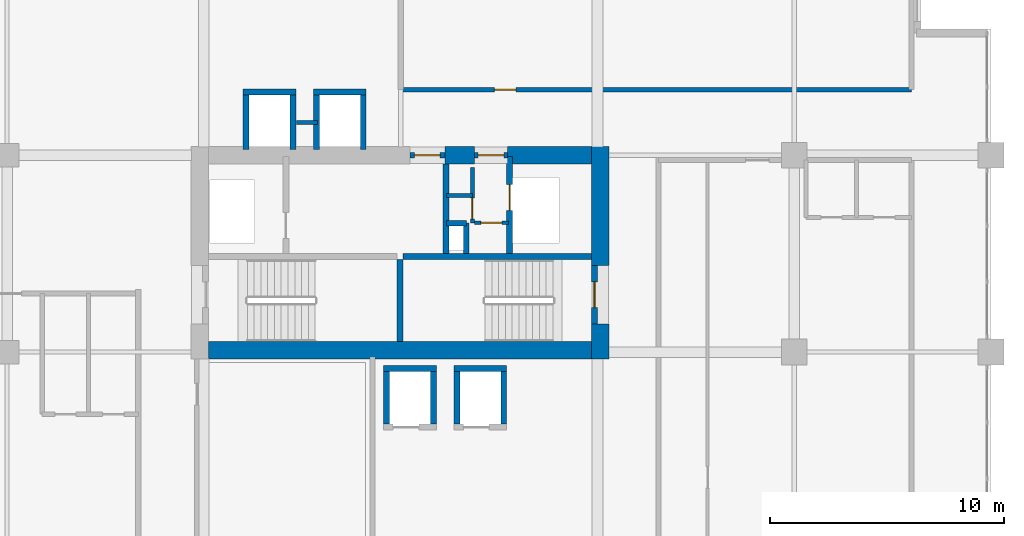
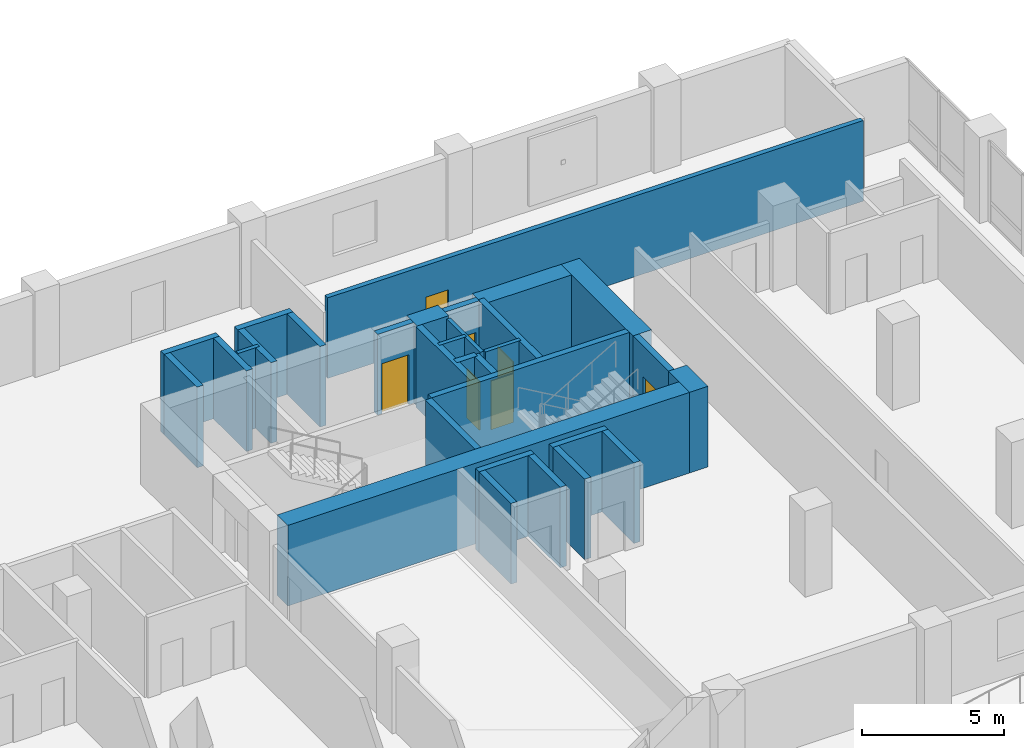
# One storey, part 12 of 22: 31 walls, 7 doors, 7 openings.
"""IFC4 building model written with IfcOpenShell, lengths in metres."""

import ifcopenshell
import ifcopenshell.guid

model = None  # the IFC model being written
_history = None  # IfcOwnerHistory: only IFC2X3 demands one
_inside = {}  # id of a spatial element -> (the spatial element, [elements in it])
_under = {}  # id of a project, library or spatial element -> (it, [spatial elements below it])
_declared = {}  # id of a project -> (the project, [libraries it declares])
_typed = {}  # id of a type object -> (the type object, [elements of that type])
_made_of = {}  # id of a material, layer set ... -> (it, [elements and type objects made of it])


def new_model(schema):
    """Start an empty IFC model of exactly this schema.

    Asked for "IFC4X3", IfcOpenShell would pick the latest addendum, in which some entities
    have other attributes; the version numbers below select the first issue.
    IFC2X3 requires an IfcOwnerHistory on every rooted entity: one is made here for all.
    """
    global model, _history
    if schema == "IFC4X3":
        model = ifcopenshell.file(schema_version=(4, 3, 0, 0))
    else:
        model = ifcopenshell.file(schema=schema)
    _inside.clear()
    _under.clear()
    _declared.clear()
    _typed.clear()
    _made_of.clear()
    _history = None
    if model.schema == "IFC2X3":
        org = make("IfcOrganization", Name="unknown")
        user = make(
            "IfcPersonAndOrganization",
            ThePerson=make("IfcPerson", FamilyName="unknown"),
            TheOrganization=org,
        )
        app = make(
            "IfcApplication",
            ApplicationDeveloper=org,
            Version="unknown",
            ApplicationFullName="unknown",
            ApplicationIdentifier="unknown",
        )
        _history = make(
            "IfcOwnerHistory",
            OwningUser=user,
            OwningApplication=app,
            ChangeAction="ADDED",
            CreationDate=0,
        )
    return model


def make(cls, **values):
    """One entity of the class cls with the attributes given. An attribute that is None is left unset."""
    return model.create_entity(
        cls, **{name: value for name, value in values.items() if value is not None}
    )


def rooted(cls, **values):
    """An entity with a GlobalId (a new one), such as an element, a storey or a relation."""
    return make(cls, GlobalId=ifcopenshell.guid.new(), OwnerHistory=_history, **values)


def si_unit(unit_type, name, prefix=None):
    """IfcSIUnit, for example si_unit("LENGTHUNIT", "METRE", prefix="MILLI")."""
    return make("IfcSIUnit", UnitType=unit_type, Prefix=prefix, Name=name)


def assignment(units):
    """IfcUnitAssignment: the units of a project."""
    return None if units is None else make("IfcUnitAssignment", Units=units)


def point(xyz):
    """IfcCartesianPoint."""
    return None if xyz is None else make("IfcCartesianPoint", Coordinates=xyz)


def direction(xyz):
    """IfcDirection."""
    return None if xyz is None else make("IfcDirection", DirectionRatios=xyz)


def frame(location, z_axis=None, x_axis=None):
    """IfcAxis2Placement3D, a coordinate frame: its origin and axes. An axis left out is left unset."""
    return make(
        "IfcAxis2Placement3D",
        Location=point(location),
        Axis=direction(z_axis),
        RefDirection=direction(x_axis),
    )


def frame_2d(location, x_axis=None):
    """IfcAxis2Placement2D, a coordinate frame in the plane: its origin and x axis."""
    return make(
        "IfcAxis2Placement2D", Location=point(location), RefDirection=direction(x_axis)
    )


def origin():
    """The frame at (0, 0, 0) with its axes left unset."""
    return frame((0.0, 0.0, 0.0))


def place(relative_to, where):
    """IfcLocalPlacement: puts the frame where relative to a parent placement (None: the world)."""
    return make(
        "IfcLocalPlacement", PlacementRelTo=relative_to, RelativePlacement=where
    )


def context(
    kind, dimensions, precision=None, world=None, true_north=None, identifier=None
):
    """IfcGeometricRepresentationContext, for example the 3D "Model" context."""
    return make(
        "IfcGeometricRepresentationContext",
        ContextIdentifier=identifier,
        ContextType=kind,
        CoordinateSpaceDimension=dimensions,
        Precision=precision,
        WorldCoordinateSystem=world,
        TrueNorth=true_north,
    )


def subcontext(parent, identifier, kind, view, scale=None):
    """IfcGeometricRepresentationSubContext, for example "Body" below "Model"."""
    return make(
        "IfcGeometricRepresentationSubContext",
        ContextIdentifier=identifier,
        ContextType=kind,
        ParentContext=parent,
        TargetScale=scale,
        TargetView=view,
    )


def project(units=None, contexts=None):
    """IfcProject with its units and contexts."""
    return rooted(
        "IfcProject",
        Name="project",
        RepresentationContexts=contexts,
        UnitsInContext=assignment(units),
    )


def spatial(cls, under=None, at=None, **own):
    """A site, building, storey or space (cls), placed at a placement, below another one or the project."""
    s = rooted(cls, ObjectPlacement=at, **own)
    if under is not None:
        _under.setdefault(under.id(), (under, []))[1].append(s)
    return s


def profile(cls, at=None, kind="AREA", **sizes):
    """A parametric profile (cls). Its sizes go by their IFC names, for example OverallWidth=200.0."""
    return make(cls, ProfileType=kind, Position=at, **sizes)


def rectangle(**sizes):
    """IfcRectangleProfileDef."""
    return profile("IfcRectangleProfileDef", **sizes)


def extrude(swept, where, along, depth):
    """IfcExtrudedAreaSolid: the profile swept, set in the frame where, extruded along a direction by depth."""
    return make(
        "IfcExtrudedAreaSolid",
        SweptArea=swept,
        Position=where,
        ExtrudedDirection=direction(along),
        Depth=depth,
    )


def shape(context_of_items, identifier, shape_type, items):
    """IfcShapeRepresentation: the items that make up one representation, for example the "Body"."""
    return make(
        "IfcShapeRepresentation",
        ContextOfItems=context_of_items,
        RepresentationIdentifier=identifier,
        RepresentationType=shape_type,
        Items=items,
    )


def material(Name=None, Category=None):
    """IfcMaterial."""
    return make("IfcMaterial", Name=Name, Category=Category)


def layer(
    of_material, thickness, ventilated=None, Name=None, Category=None, Priority=None
):
    """IfcMaterialLayer: one layer of a wall or slab, of a material (None: an air gap)."""
    return make(
        "IfcMaterialLayer",
        Material=of_material,
        LayerThickness=thickness,
        IsVentilated=ventilated,
        Name=Name,
        Category=Category,
        Priority=Priority,
    )


def layer_set(layers, Name=None):
    """IfcMaterialLayerSet."""
    return make("IfcMaterialLayerSet", MaterialLayers=layers, LayerSetName=Name)


def made_of(thing, what):
    """Note that an element or type object is made of a material, layer set ...; save() writes the relation."""
    if what is not None:
        _made_of.setdefault(what.id(), (what, []))[1].append(thing)
    return thing


def type_object(cls, material=None, **own):
    """A type object (cls), such as IfcWallType, which elements share."""
    return made_of(rooted(cls, **own), material)


def element(
    cls,
    number,
    at=None,
    inside=None,
    cuts=None,
    type_object=None,
    material=None,
    context=None,
    identifier="Body",
    shape_type=None,
    held_by="IfcProductDefinitionShape",
    body=None,
    shapes=None,
    **own,
):
    """One element of the class cls, such as IfcWall. Its Tag is "e" and its number.

    at: its placement. inside: the storey or other place that contains it. cuts: it is an
    opening in that element (IfcRelVoidsElement). A single representation is given by context,
    identifier, shape_type and body (its items); several are given by shapes. held_by: the class
    of the entity that holds the representations. save() writes the other relations.
    """
    e = rooted(cls, Tag="e%d" % number, ObjectPlacement=at, **own)
    if body is not None:
        shapes = [shape(context, identifier, shape_type, body)]
    if shapes is not None:
        e.Representation = make(held_by, Representations=shapes)
    if inside is not None:
        _inside.setdefault(inside.id(), (inside, []))[1].append(e)
    if cuts is not None:
        rooted(
            "IfcRelVoidsElement", RelatingBuildingElement=cuts, RelatedOpeningElement=e
        )
    if type_object is not None:
        _typed.setdefault(type_object.id(), (type_object, []))[1].append(e)
    return made_of(e, material)


def fill(opening, filler):
    """IfcRelFillsElement: the door or window that sits in an opening."""
    return rooted(
        "IfcRelFillsElement",
        RelatingOpeningElement=opening,
        RelatedBuildingElement=filler,
    )


def aggregate(whole, parts):
    """IfcRelAggregates: a whole, such as a stair, and the parts it consists of."""
    return rooted("IfcRelAggregates", RelatingObject=whole, RelatedObjects=parts)


def save(model, path):
    """Write the relations noted so far, then the file.

    IfcRelAggregates (storeys below a building ...), IfcRelContainedInSpatialStructure (elements
    in a storey), IfcRelDefinesByType, IfcRelAssociatesMaterial and IfcRelDeclares: one each for
    every whole, place, type object, material and project.
    """
    for whole, parts in _under.values():
        aggregate(whole, parts)
    for where, things in _inside.values():
        rooted(
            "IfcRelContainedInSpatialStructure",
            RelatedElements=things,
            RelatingStructure=where,
        )
    for kind, things in _typed.values():
        rooted("IfcRelDefinesByType", RelatedObjects=things, RelatingType=kind)
    for what, things in _made_of.values():
        rooted("IfcRelAssociatesMaterial", RelatedObjects=things, RelatingMaterial=what)
    for by, libraries in _declared.values():
        rooted("IfcRelDeclares", RelatingContext=by, RelatedDefinitions=libraries)
    model.write(path)


model = new_model("IFC4")

# Units and contexts
model_context = context("Model", 3, precision=1e-05, world=origin(), true_north=direction((0.0, 1.0)))
body_context = subcontext(model_context, "Body", "Model", "MODEL_VIEW")
ifc_project = project(units=[si_unit("LENGTHUNIT", "METRE"), si_unit("AREAUNIT", "SQUARE_METRE"), si_unit("VOLUMEUNIT", "CUBIC_METRE"), si_unit("PLANEANGLEUNIT", "RADIAN"), si_unit("MASSUNIT", "GRAM", prefix="KILO")], contexts=[model_context])

# Site, building, storey
site_placement = place(None, origin())
site = spatial("IfcSite", under=ifc_project, at=site_placement, CompositionType="ELEMENT")
building_placement = place(site_placement, origin())
building = spatial("IfcBuilding", under=site, at=building_placement, Name="Koriwani Terraces Tower", CompositionType="ELEMENT")
storey_placement = place(building_placement, frame((0.0, 0.0, 182.800048828125)))
storey = spatial("IfcBuildingStorey", under=building, at=storey_placement, Name="L44", CompositionType="ELEMENT", Elevation=182.800048828125)

# Walls
ifc_material_1 = material(Name="Concrete C60/75", Category="concrete")
ifc_layer_1 = layer(ifc_material_1, 0.75, Name="Concrete C60/75")
ifc_layer_set_1 = layer_set([ifc_layer_1], Name="Concrete C60/75")
wall_type_1 = type_object("IfcWallType", Name="WALL_CORE_RC_750", PredefinedType="SHEAR", material=ifc_layer_set_1)
wall_1_placement = place(storey_placement, frame((58.925048828125, 16.5, 0.0), z_axis=(0.0, 0.0, 1.0), x_axis=(0.0, 1.0, 0.0)))
element("IfcWall", 1, at=wall_1_placement, inside=storey, type_object=wall_type_1, Name="L44 East Split Core Shear Wall E1", PredefinedType="SHEAR", context=body_context, shape_type="SweptSolid", body=[
    extrude(rectangle(XDim=1.5, YDim=0.75, at=frame_2d((0.75, 0.0))), origin(), (0.0, 0.0, 1.0), 3.469970703125),
])
wall_2_placement = place(storey_placement, frame((58.925048828125, 20.5, 0.0), z_axis=(0.0, 0.0, 1.0), x_axis=(0.0, 1.0, 0.0)))
element("IfcWall", 2, at=wall_2_placement, inside=storey, type_object=wall_type_1, Name="L44 East Split Core Shear Wall E2", PredefinedType="SHEAR", context=body_context, shape_type="SweptSolid", body=[
    extrude(rectangle(XDim=5.074951171875, YDim=0.75, at=frame_2d((2.53759765625, 0.0))), origin(), (0.0, 0.0, 1.0), 3.469970703125),
])
wall_3_placement = place(storey_placement, frame((42.199951171875, 16.875, 0.0), z_axis=(0.0, 0.0, 1.0), x_axis=(1.0, 0.0, 0.0)))
element("IfcWall", 3, at=wall_3_placement, inside=storey, type_object=wall_type_1, Name="L44 East Split Core Shear Wall S1", PredefinedType="SHEAR", context=body_context, shape_type="SweptSolid", body=[
    extrude(rectangle(XDim=16.35009765625, YDim=0.75, at=frame_2d((8.175048828125, 0.0))), origin(), (0.0, 0.0, 1.0), 3.469970703125),
])
wall_4_placement = place(storey_placement, frame((52.280029296875, 25.199951171875, 0.0), z_axis=(0.0, 0.0, 1.0), x_axis=(1.0, 0.0, 0.0)))
element("IfcWall", 4, at=wall_4_placement, inside=storey, type_object=wall_type_1, Name="L44 East Split Core Shear Wall N2", PredefinedType="SHEAR", context=body_context, shape_type="SweptSolid", body=[
    extrude(rectangle(XDim=1.27001953125, YDim=0.75, at=frame_2d((0.635009765625, 0.0))), origin(), (0.0, 0.0, 1.0), 3.469970703125),
])
wall_5_placement = place(storey_placement, frame((54.949951171875, 25.199951171875, 0.0), z_axis=(0.0, 0.0, 1.0), x_axis=(1.0, 0.0, 0.0)))
element("IfcWall", 5, at=wall_5_placement, inside=storey, type_object=wall_type_1, Name="L44 East Split Core Shear Wall N3", PredefinedType="SHEAR", context=body_context, shape_type="SweptSolid", body=[
    extrude(rectangle(XDim=3.60009765625, YDim=0.75, at=frame_2d((1.800048828125, 0.0))), origin(), (0.0, 0.0, 1.0), 3.469970703125),
])

# Wall, opening, door
ifc_material_2 = material(Name="Autoclaved Cellular Concrete Blockwork", Category="masonry")
ifc_layer_2 = layer(ifc_material_2, 0.199951171875, Name="Autoclaved Cellular Concrete Blockwork")
ifc_layer_set_2 = layer_set([ifc_layer_2], Name="Autoclaved Cellular Concrete Blockwork")
wall_type_2 = type_object("IfcWallType", Name="WALL_CORRIDOR_200", PredefinedType="PARTITIONING", material=ifc_layer_set_2)
wall_6_placement = place(storey_placement, frame((50.39990234375, 28.0, 0.0), z_axis=(0.0, 0.0, 1.0), x_axis=(1.0, 0.0, 0.0)))
wall_6 = element("IfcWall", 6, at=wall_6_placement, inside=storey, type_object=wall_type_2, Name="L44 Interior Wall WSEC-S-L44", PredefinedType="PARTITIONING", context=body_context, shape_type="SweptSolid", body=[
    extrude(rectangle(XDim=21.800048828125, YDim=0.199951171875, at=frame_2d((10.89990234375, 0.0))), origin(), (0.0, 0.0, 1.0), 3.469970703125),
])
opening_1_placement = place(wall_6_placement, frame((4.0, 0.0, 0.0)))
opening_1 = element("IfcOpeningElement", 7, at=opening_1_placement, cuts=wall_6, Name="Opening D-06", PredefinedType="OPENING", context=body_context, shape_type="SweptSolid", body=[
    extrude(rectangle(XDim=0.919921875, YDim=2.10009765625, at=frame_2d((0.4599609375, 1.050048828125))), frame((0.0, 0.10986328125, 0.0), z_axis=(0.0, -1.0, 0.0), x_axis=(1.0, 0.0, 0.0)), (0.0, 0.0, 1.0), 0.219970703125),
])
ifc_material_3 = material(Name="Architectural Oak Fire Door", Category="wood")
door_type_1 = type_object("IfcDoorType", Name="DOOR_ROOM_INT_920X2100", OperationType="NOTDEFINED", PredefinedType="DOOR", material=ifc_material_3)
door_1_placement = place(opening_1_placement, origin())
door_1 = element("IfcDoor", 8, at=door_1_placement, inside=storey, type_object=door_type_1, Name="L44 East Court Study Door", OperationType="SINGLE_SWING_LEFT", OverallHeight=2.10009765625, OverallWidth=0.919921875, PredefinedType="DOOR", context=body_context, shape_type="SweptSolid", body=[
    extrude(rectangle(XDim=0.919921875, YDim=2.10009765625, at=frame_2d((0.4599609375, 1.050048828125))), frame((0.0, 0.02490234375, 0.0), z_axis=(0.0, -1.0, 0.0), x_axis=(1.0, 0.0, 0.0)), (0.0, 0.0, 1.0), 0.050048828125),
])
fill(opening_1, door_1)

# Walls
ifc_material_4 = material(Name="Concrete C40/50", Category="concrete")
ifc_layer_3 = layer(ifc_material_4, 0.25, Name="Concrete C40/50")
ifc_layer_set_3 = layer_set([ifc_layer_3], Name="Concrete C40/50")
wall_type_3 = type_object("IfcWallType", Name="WALL_SHAFT_RATED_250", PredefinedType="SOLIDWALL", material=ifc_layer_set_3)
wall_7_placement = place(storey_placement, frame((50.5, 20.875, 0.0), z_axis=(0.0, 0.0, 1.0), x_axis=(1.0, 0.0, 0.0)))
element("IfcWall", 9, at=wall_7_placement, inside=storey, type_object=wall_type_3, Name="L44 East Split Core Web Wall MID2", PredefinedType="SOLIDWALL", context=body_context, shape_type="SweptSolid", body=[
    extrude(rectangle(XDim=8.050048828125, YDim=0.25, at=frame_2d((4.02490234375, 0.0))), origin(), (0.0, 0.0, 1.0), 3.469970703125),
])
wall_8_placement = place(storey_placement, frame((50.375, 17.25, 0.0), z_axis=(0.0, 0.0, 1.0), x_axis=(0.0, 1.0, 0.0)))
element("IfcWall", 10, at=wall_8_placement, inside=storey, type_object=wall_type_3, Name="L44 East Split Core Stair Dividing Wall", PredefinedType="SOLIDWALL", context=body_context, shape_type="SweptSolid", body=[
    extrude(rectangle(XDim=3.5, YDim=0.25, at=frame_2d((1.75, 0.0))), origin(), (0.0, 0.0, 1.0), 3.469970703125),
])

# Wall, opening, door
wall_9_placement = place(storey_placement, frame((58.675048828125, 18.0, 0.0), z_axis=(0.0, 0.0, 1.0), x_axis=(0.0, 1.0, 0.0)))
wall_9 = element("IfcWall", 11, at=wall_9_placement, inside=storey, type_object=wall_type_3, Name="L44 Interior Wall WIN-CE-L44-STE", PredefinedType="SOLIDWALL", context=body_context, shape_type="SweptSolid", body=[
    extrude(rectangle(XDim=2.5, YDim=0.25, at=frame_2d((1.25, 0.0))), origin(), (0.0, 0.0, 1.0), 3.469970703125),
])
opening_2_placement = place(wall_9_placement, frame((0.699951171875, 0.0, 0.0)))
opening_2 = element("IfcOpeningElement", 12, at=opening_2_placement, cuts=wall_9, Name="Opening D-03", PredefinedType="OPENING", context=body_context, shape_type="SweptSolid", body=[
    extrude(rectangle(XDim=1.10009765625, YDim=2.14990234375, at=frame_2d((0.550048828125, 1.074951171875))), frame((0.0, 0.135009765625, 0.0), z_axis=(0.0, -1.0, 0.0), x_axis=(1.0, 0.0, 0.0)), (0.0, 0.0, 1.0), 0.27001953125),
])
ifc_material_5 = material(Name="Steel ASTM A572 Grade 50", Category="steel")
door_type_2 = type_object("IfcDoorType", Name="DOOR_STAIR_FIRE_1100X2150", OperationType="NOTDEFINED", PredefinedType="DOOR", material=ifc_material_5)
door_2_placement = place(opening_2_placement, origin())
door_2 = element("IfcDoor", 13, at=door_2_placement, inside=storey, type_object=door_type_2, Name="L44 Exit Stair ST-E2 Door", OperationType="SINGLE_SWING_RIGHT", OverallHeight=2.14990234375, OverallWidth=1.10009765625, PredefinedType="DOOR", context=body_context, shape_type="SweptSolid", body=[
    extrude(rectangle(XDim=1.10009765625, YDim=2.14990234375, at=frame_2d((0.550048828125, 1.074951171875))), frame((0.0, 0.02490234375, 0.0), z_axis=(0.0, -1.0, 0.0), x_axis=(1.0, 0.0, 0.0)), (0.0, 0.0, 1.0), 0.050048828125),
])
fill(opening_2, door_2)

wall_10_placement = place(storey_placement, frame((50.800048828125, 25.199951171875, 0.0), z_axis=(0.0, 0.0, 1.0), x_axis=(1.0, 0.0, 0.0)))
wall_10 = element("IfcWall", 14, at=wall_10_placement, inside=storey, type_object=wall_type_3, Name="L44 Interior Wall WIN-CE-L44-NP", PredefinedType="SOLIDWALL", context=body_context, shape_type="SweptSolid", body=[
    extrude(rectangle(XDim=1.47998046875, YDim=0.25, at=frame_2d((0.739990234375, 0.0))), origin(), (0.0, 0.0, 1.0), 3.469970703125),
])
opening_3_placement = place(wall_10_placement, frame((0.179931640625, 0.0, 0.0)))
opening_3 = element("IfcOpeningElement", 15, at=opening_3_placement, cuts=wall_10, Name="Opening D-03", PredefinedType="OPENING", context=body_context, shape_type="SweptSolid", body=[
    extrude(rectangle(XDim=1.10009765625, YDim=2.14990234375, at=frame_2d((0.550048828125, 1.074951171875))), frame((0.0, 0.135009765625, 0.0), z_axis=(0.0, -1.0, 0.0), x_axis=(1.0, 0.0, 0.0)), (0.0, 0.0, 1.0), 0.27001953125),
])
door_3_placement = place(opening_3_placement, origin())
door_3 = element("IfcDoor", 16, at=door_3_placement, inside=storey, type_object=door_type_2, Name="L44 East Firefighting Lobby Door", OperationType="SINGLE_SWING_LEFT", OverallHeight=2.14990234375, OverallWidth=1.10009765625, PredefinedType="DOOR", context=body_context, shape_type="SweptSolid", body=[
    extrude(rectangle(XDim=1.10009765625, YDim=2.14990234375, at=frame_2d((0.550048828125, 1.074951171875))), frame((0.0, 0.02490234375, 0.0), z_axis=(0.0, -1.0, 0.0), x_axis=(1.0, 0.0, 0.0)), (0.0, 0.0, 1.0), 0.050048828125),
])
fill(opening_3, door_3)

# Wall
wall_11_placement = place(storey_placement, frame((52.340087890625, 21.0, 0.0), z_axis=(0.0, 0.0, 1.0), x_axis=(0.0, 1.0, 0.0)))
element("IfcWall", 17, at=wall_11_placement, inside=storey, type_object=wall_type_3, Name="L44 Interior Wall WIN-CE-L44-FFE", PredefinedType="SOLIDWALL", context=body_context, shape_type="SweptSolid", body=[
    extrude(rectangle(XDim=3.824951171875, YDim=0.25, at=frame_2d((1.91259765625, 0.0))), origin(), (0.0, 0.0, 1.0), 3.469970703125),
])

# Wall, opening, door
wall_12_placement = place(storey_placement, frame((55.050048828125, 21.0, 0.0), z_axis=(0.0, 0.0, 1.0), x_axis=(0.0, 1.0, 0.0)))
wall_12 = element("IfcWall", 18, at=wall_12_placement, inside=storey, type_object=wall_type_3, Name="L44 Interior Wall WIN-CE-L44-SE", PredefinedType="SOLIDWALL", context=body_context, shape_type="SweptSolid", body=[
    extrude(rectangle(XDim=4.14990234375, YDim=0.25, at=frame_2d((2.074951171875, 0.0))), origin(), (0.0, 0.0, 1.0), 3.469970703125),
])
opening_4_placement = place(wall_12_placement, frame((1.85009765625, 0.0, 0.0)))
opening_4 = element("IfcOpeningElement", 19, at=opening_4_placement, cuts=wall_12, Name="Opening LD-01", PredefinedType="OPENING", context=body_context, shape_type="SweptSolid", body=[
    extrude(rectangle(XDim=1.10009765625, YDim=2.14990234375, at=frame_2d((0.550048828125, 1.074951171875))), frame((0.0, 0.135009765625, 0.0), z_axis=(0.0, -1.0, 0.0), x_axis=(1.0, 0.0, 0.0)), (0.0, 0.0, 1.0), 0.27001953125),
])
door_type_3 = type_object("IfcDoorType", Name="DOOR_LIFT_LANDING_1100X2200", OperationType="NOTDEFINED", PredefinedType="DOOR", material=ifc_material_5)
door_4_placement = place(opening_4_placement, origin())
door_4 = element("IfcDoor", 20, at=door_4_placement, inside=storey, type_object=door_type_3, Name="L44 Goods Lift SE-02 Landing Door", OperationType="SLIDING_TO_LEFT", OverallHeight=2.14990234375, OverallWidth=1.10009765625, PredefinedType="DOOR", context=body_context, shape_type="SweptSolid", body=[
    extrude(rectangle(XDim=1.10009765625, YDim=2.14990234375, at=frame_2d((0.550048828125, 1.074951171875))), frame((0.0, 0.02490234375, 0.0), z_axis=(0.0, -1.0, 0.0), x_axis=(1.0, 0.0, 0.0)), (0.0, 0.0, 1.0), 0.050048828125),
])
fill(opening_4, door_4)

wall_13_placement = place(storey_placement, frame((53.550048828125, 25.199951171875, 0.0), z_axis=(0.0, 0.0, 1.0), x_axis=(1.0, 0.0, 0.0)))
wall_13 = element("IfcWall", 21, at=wall_13_placement, inside=storey, type_object=wall_type_3, Name="L44 Interior Wall WIN-CE-L44-NP2", PredefinedType="SOLIDWALL", context=body_context, shape_type="SweptSolid", body=[
    extrude(rectangle(XDim=1.39990234375, YDim=0.25, at=frame_2d((0.699951171875, 0.0))), origin(), (0.0, 0.0, 1.0), 3.469970703125),
])
opening_5_placement = place(wall_13_placement, frame((0.14990234375, 0.0, 0.0)))
opening_5 = element("IfcOpeningElement", 22, at=opening_5_placement, cuts=wall_13, Name="Opening D-03", PredefinedType="OPENING", context=body_context, shape_type="SweptSolid", body=[
    extrude(rectangle(XDim=1.10009765625, YDim=2.14990234375, at=frame_2d((0.550048828125, 1.074951171875))), frame((0.0, 0.135009765625, 0.0), z_axis=(0.0, -1.0, 0.0), x_axis=(1.0, 0.0, 0.0)), (0.0, 0.0, 1.0), 0.27001953125),
])
door_5_placement = place(opening_5_placement, origin())
door_5 = element("IfcDoor", 23, at=door_5_placement, inside=storey, type_object=door_type_2, Name="L44 East Goods Lift Lobby Door", OperationType="SINGLE_SWING_RIGHT", OverallHeight=2.14990234375, OverallWidth=1.10009765625, PredefinedType="DOOR", context=body_context, shape_type="SweptSolid", body=[
    extrude(rectangle(XDim=1.10009765625, YDim=2.14990234375, at=frame_2d((0.550048828125, 1.074951171875))), frame((0.0, 0.02490234375, 0.0), z_axis=(0.0, -1.0, 0.0), x_axis=(1.0, 0.0, 0.0)), (0.0, 0.0, 1.0), 0.050048828125),
])
fill(opening_5, door_5)

# Walls
wall_14_placement = place(storey_placement, frame((53.199951171875, 21.0, 0.0), z_axis=(0.0, 0.0, 1.0), x_axis=(0.0, 1.0, 0.0)))
element("IfcWall", 24, at=wall_14_placement, inside=storey, type_object=wall_type_3, Name="L44 Interior Wall WIN-CE-L44-RS1", PredefinedType="SOLIDWALL", context=body_context, shape_type="SweptSolid", body=[
    extrude(rectangle(XDim=1.300048828125, YDim=0.25, at=frame_2d((0.64990234375, 0.0))), origin(), (0.0, 0.0, 1.0), 3.469970703125),
])
wall_15_placement = place(storey_placement, frame((52.360107421875, 22.300048828125, 0.0), z_axis=(0.0, 0.0, 1.0), x_axis=(1.0, 0.0, 0.0)))
element("IfcWall", 25, at=wall_15_placement, inside=storey, type_object=wall_type_3, Name="L44 Interior Wall WIN-CE-L44-RS2", PredefinedType="SOLIDWALL", context=body_context, shape_type="SweptSolid", body=[
    extrude(rectangle(XDim=0.83984375, YDim=0.25, at=frame_2d((0.419921875, 0.0))), origin(), (0.0, 0.0, 1.0), 3.469970703125),
])
for number, where, z_axis, x_axis, name in (
    (26, (49.675048828125, 16.10009765625, 0.0), (0.0, 0.0, 1.0), (1.0, 0.0, 0.0), "L44 Interior Wall WIN-LF-PE-M3-L44-B"),
    (27, (49.800048828125, 13.72509765625, 0.0), (0.0, 0.0, 1.0), (0.0, 1.0, 0.0), "L44 Interior Wall WIN-LF-PE-M3-L44-W"),
    (28, (51.800048828125, 13.72509765625, 0.0), (0.0, 0.0, 1.0), (0.0, 1.0, 0.0), "L44 Interior Wall WIN-LF-PE-M3-L44-E"),
    (29, (52.675048828125, 16.10009765625, 0.0), (0.0, 0.0, 1.0), (1.0, 0.0, 0.0), "L44 Interior Wall WIN-LF-PE-M4-L44-B"),
    (30, (52.800048828125, 13.72509765625, 0.0), (0.0, 0.0, 1.0), (0.0, 1.0, 0.0), "L44 Interior Wall WIN-LF-PE-M4-L44-W"),
    (31, (54.800048828125, 13.72509765625, 0.0), (0.0, 0.0, 1.0), (0.0, 1.0, 0.0), "L44 Interior Wall WIN-LF-PE-M4-L44-E"),
    (32, (43.675048828125, 27.89990234375, 0.0), (0.0, 0.0, 1.0), (1.0, 0.0, 0.0), "L44 Interior Wall WIN-LF-PE-H3-L44-F"),
):
    element("IfcWall", number, at=place(storey_placement, frame(where, z_axis=z_axis, x_axis=x_axis)), inside=storey, type_object=wall_type_3, Name=name, PredefinedType="SOLIDWALL", context=body_context, shape_type="SweptSolid", body=[
        extrude(rectangle(XDim=2.25, YDim=0.25, at=frame_2d((1.125, 0.0))), origin(), (0.0, 0.0, 1.0), 3.469970703125),
    ])
for number, where, z_axis, x_axis, name in (
    (33, (43.800048828125, 25.449951171875, 0.0), (0.0, 0.0, 1.0), (0.0, 1.0, 0.0), "L44 Interior Wall WIN-LF-PE-H3-L44-W"),
    (34, (45.800048828125, 25.449951171875, 0.0), (0.0, 0.0, 1.0), (0.0, 1.0, 0.0), "L44 Interior Wall WIN-LF-PE-H3-L44-E"),
):
    element("IfcWall", number, at=place(storey_placement, frame(where, z_axis=z_axis, x_axis=x_axis)), inside=storey, type_object=wall_type_3, Name=name, PredefinedType="SOLIDWALL", context=body_context, shape_type="SweptSolid", body=[
        extrude(rectangle(XDim=2.324951171875, YDim=0.25, at=frame_2d((1.16259765625, 0.0))), origin(), (0.0, 0.0, 1.0), 3.469970703125),
    ])
wall_16_placement = place(storey_placement, frame((46.675048828125, 27.89990234375, 0.0), z_axis=(0.0, 0.0, 1.0), x_axis=(1.0, 0.0, 0.0)))
element("IfcWall", 35, at=wall_16_placement, inside=storey, type_object=wall_type_3, Name="L44 Interior Wall WIN-LF-PE-H4-L44-F", PredefinedType="SOLIDWALL", context=body_context, shape_type="SweptSolid", body=[
    extrude(rectangle(XDim=2.25, YDim=0.25, at=frame_2d((1.125, 0.0))), origin(), (0.0, 0.0, 1.0), 3.469970703125),
])
for number, where, z_axis, x_axis, name in (
    (36, (46.800048828125, 25.449951171875, 0.0), (0.0, 0.0, 1.0), (0.0, 1.0, 0.0), "L44 Interior Wall WIN-LF-PE-H4-L44-W"),
    (37, (48.800048828125, 25.449951171875, 0.0), (0.0, 0.0, 1.0), (0.0, 1.0, 0.0), "L44 Interior Wall WIN-LF-PE-H4-L44-E"),
):
    element("IfcWall", number, at=place(storey_placement, frame(where, z_axis=z_axis, x_axis=x_axis)), inside=storey, type_object=wall_type_3, Name=name, PredefinedType="SOLIDWALL", context=body_context, shape_type="SweptSolid", body=[
        extrude(rectangle(XDim=2.324951171875, YDim=0.25, at=frame_2d((1.16259765625, 0.0))), origin(), (0.0, 0.0, 1.0), 3.469970703125),
    ])

# Wall, opening, door
ifc_material_6 = material(Name="Fire-Rated Acoustic Gypsum Partition", Category="masonry")
ifc_layer_4 = layer(ifc_material_6, 0.159912109375, Name="Fire-Rated Acoustic Gypsum Partition")
ifc_layer_set_4 = layer_set([ifc_layer_4], Name="Fire-Rated Acoustic Gypsum Partition")
wall_type_4 = type_object("IfcWallType", Name="WALL_SUITE_160", PredefinedType="PARTITIONING", material=ifc_layer_set_4)
wall_17_placement = place(storey_placement, frame((53.56005859375, 22.320068359375, 0.0), z_axis=(0.0, 0.0, 1.0), x_axis=(1.0, 0.0, 0.0)))
wall_17 = element("IfcWall", 38, at=wall_17_placement, inside=storey, type_object=wall_type_4, Name="L44 Interior Wall WIN-CE-L44-SV2A", PredefinedType="PARTITIONING", context=body_context, shape_type="SweptSolid", body=[
    extrude(rectangle(XDim=1.43994140625, YDim=0.159912109375, at=frame_2d((0.719970703125, 0.0))), origin(), (0.0, 0.0, 1.0), 3.469970703125),
])
opening_6_placement = place(wall_17_placement, frame((0.260009765625, 0.0, 0.0)))
opening_6 = element("IfcOpeningElement", 39, at=opening_6_placement, cuts=wall_17, Name="Opening D-07", PredefinedType="OPENING", context=body_context, shape_type="SweptSolid", body=[
    extrude(rectangle(XDim=0.89990234375, YDim=2.10009765625, at=frame_2d((0.449951171875, 1.050048828125))), frame((0.0, 0.08984375, 0.0), z_axis=(0.0, -1.0, 0.0), x_axis=(1.0, 0.0, 0.0)), (0.0, 0.0, 1.0), 0.179931640625),
])
door_type_4 = type_object("IfcDoorType", Name="DOOR_BATH_INT_900X2100", OperationType="NOTDEFINED", PredefinedType="DOOR", material=ifc_material_3)
door_6_placement = place(opening_6_placement, origin())
door_6 = element("IfcDoor", 40, at=door_6_placement, inside=storey, type_object=door_type_4, Name="L44 East Meter Room Door", OperationType="SINGLE_SWING_LEFT", OverallHeight=2.10009765625, OverallWidth=0.89990234375, PredefinedType="DOOR", context=body_context, shape_type="SweptSolid", body=[
    extrude(rectangle(XDim=0.89990234375, YDim=2.10009765625, at=frame_2d((0.449951171875, 1.050048828125))), frame((0.0, 0.02490234375, 0.0), z_axis=(0.0, -1.0, 0.0), x_axis=(1.0, 0.0, 0.0)), (0.0, 0.0, 1.0), 0.050048828125),
])
fill(opening_6, door_6)

wall_18_placement = place(storey_placement, frame((53.4599609375, 22.320068359375, 0.0), z_axis=(0.0, 0.0, 1.0), x_axis=(0.0, 1.0, 0.0)))
wall_18 = element("IfcWall", 41, at=wall_18_placement, inside=storey, type_object=wall_type_4, Name="L44 Interior Wall WIN-CE-L44-SV2H", PredefinedType="PARTITIONING", context=body_context, shape_type="SweptSolid", body=[
    extrude(rectangle(XDim=2.35986328125, YDim=0.159912109375, at=frame_2d((1.179931640625, 0.0))), origin(), (0.0, 0.0, 1.0), 3.469970703125),
])
opening_7_placement = place(wall_18_placement, frame((0.159912109375, 0.0, 0.0)))
opening_7 = element("IfcOpeningElement", 42, at=opening_7_placement, cuts=wall_18, Name="Opening D-07", PredefinedType="OPENING", context=body_context, shape_type="SweptSolid", body=[
    extrude(rectangle(XDim=0.89990234375, YDim=2.10009765625, at=frame_2d((0.449951171875, 1.050048828125))), frame((0.0, 0.08984375, 0.0), z_axis=(0.0, -1.0, 0.0), x_axis=(1.0, 0.0, 0.0)), (0.0, 0.0, 1.0), 0.179931640625),
])
door_7_placement = place(opening_7_placement, origin())
door_7 = element("IfcDoor", 43, at=door_7_placement, inside=storey, type_object=door_type_4, Name="L44 East Valve Room Door", OperationType="SINGLE_SWING_RIGHT", OverallHeight=2.10009765625, OverallWidth=0.89990234375, PredefinedType="DOOR", context=body_context, shape_type="SweptSolid", body=[
    extrude(rectangle(XDim=0.89990234375, YDim=2.10009765625, at=frame_2d((0.449951171875, 1.050048828125))), frame((0.0, 0.02490234375, 0.0), z_axis=(0.0, -1.0, 0.0), x_axis=(1.0, 0.0, 0.0)), (0.0, 0.0, 1.0), 0.050048828125),
])
fill(opening_7, door_7)

# Walls
wall_19_placement = place(storey_placement, frame((52.360107421875, 23.47998046875, 0.0), z_axis=(0.0, 0.0, 1.0), x_axis=(1.0, 0.0, 0.0)))
element("IfcWall", 44, at=wall_19_placement, inside=storey, type_object=wall_type_4, Name="L44 Interior Wall WIN-CE-L44-SV2V", PredefinedType="PARTITIONING", context=body_context, shape_type="SweptSolid", body=[
    extrude(rectangle(XDim=1.099853515625, YDim=0.159912109375, at=frame_2d((0.5498046875, 0.0))), origin(), (0.0, 0.0, 1.0), 3.469970703125),
])
wall_20_placement = place(storey_placement, frame((45.9599609375, 26.60009765625, 0.0), z_axis=(0.0, 0.0, 1.0), x_axis=(1.0, 0.0, 0.0)))
element("IfcWall", 45, at=wall_20_placement, inside=storey, type_object=wall_type_4, Name="L44 Interior Wall WIN-LF-PEH34-MID-L44", PredefinedType="PARTITIONING", context=body_context, shape_type="SweptSolid", body=[
    extrude(rectangle(XDim=0.880126953125, YDim=0.159912109375, at=frame_2d((0.43994140625, 0.0))), origin(), (0.0, 0.0, 1.0), 3.469970703125),
])

save(model, "model.ifc")
